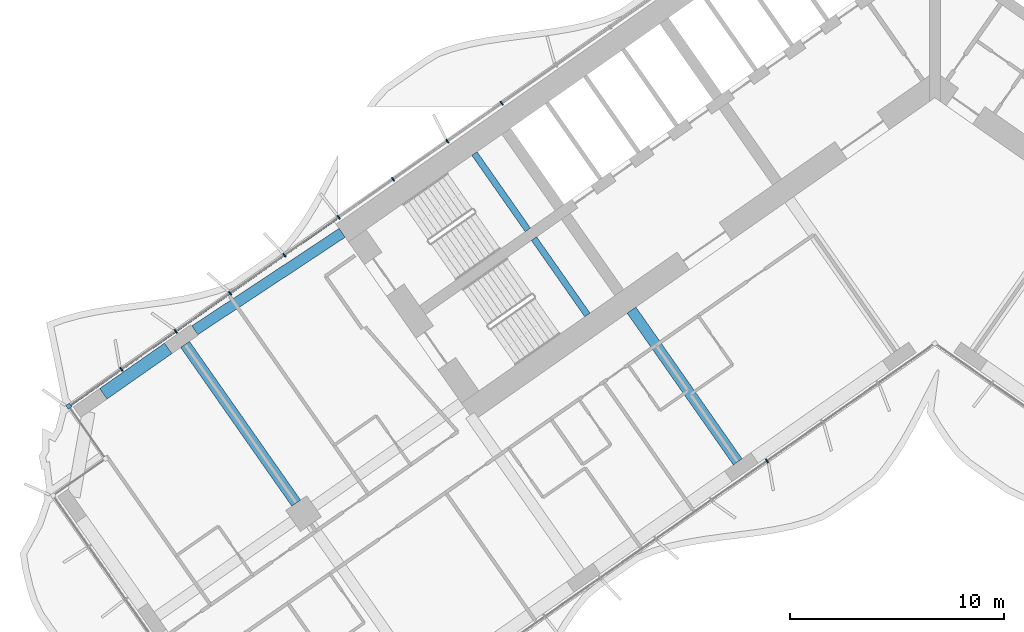
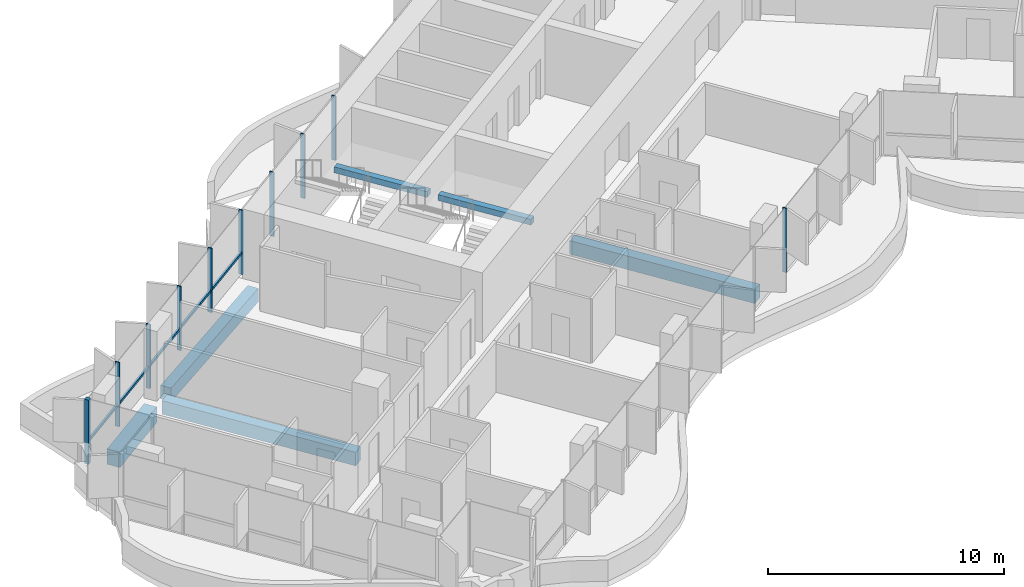
# One storey, part 4 of 23: 11 members, 6 beams, 2 elements without a shape of their own.
"""IFC4 building model written with IfcOpenShell, lengths in metres."""

from ifc_helpers import new_model, si_unit, direction, frame, origin, origin_2d, place, context, subcontext, project, spatial, rectangle, extrude, material, material_profile, profile_set, type_object, element, aggregate, save


model = new_model("IFC4")

# Units and contexts
model_context = context("Model", 3, precision=1e-05, world=origin(), true_north=direction((0.0, 1.0)))
body_context = subcontext(model_context, "Body", "Model", "MODEL_VIEW")
ifc_project = project(units=[si_unit("LENGTHUNIT", "METRE"), si_unit("AREAUNIT", "SQUARE_METRE"), si_unit("VOLUMEUNIT", "CUBIC_METRE"), si_unit("PLANEANGLEUNIT", "RADIAN"), si_unit("MASSUNIT", "GRAM", prefix="KILO")], contexts=[model_context])

# Site, building, storey
site_placement = place(None, origin())
site = spatial("IfcSite", under=ifc_project, at=site_placement, CompositionType="ELEMENT")
building_placement = place(site_placement, origin())
building = spatial("IfcBuilding", under=site, at=building_placement, Name="Tel Ilan Convention Tower", CompositionType="ELEMENT")
storey_placement = place(building_placement, frame((0.0, 0.0, 108.5)))
storey = spatial("IfcBuildingStorey", under=building, at=storey_placement, Name="L23", CompositionType="ELEMENT", Elevation=108.5)

# Beams
ifc_material_1 = material(Name="Concrete C40/50", Category="concrete")
ifc_material_profile_1 = material_profile(ifc_material_1, rectangle(XDim=0.5, YDim=0.699951171875, at=origin_2d()), Name="RC 500x700")
ifc_profile_set_1 = profile_set([ifc_material_profile_1], Name="Concrete C40/50")
beam_type_1 = type_object("IfcBeamType", Name="Beam RC 500x700 Concrete C40/50", PredefinedType="BEAM", material=ifc_profile_set_1)
beam_1_placement = place(storey_placement, frame((-34.570556640625, -12.08447265625, -0.6298828125), z_axis=(0.834273603487, 0.551350663847, 0.0), x_axis=(-0.551350663847, 0.834273603487, 0.0)))
element("IfcBeam", 1, at=beam_1_placement, inside=storey, type_object=beam_type_1, Name="L23 beam W-W-B4-core", PredefinedType="BEAM", context=body_context, shape_type="SweptSolid", body=[
    extrude(rectangle(XDim=0.5, YDim=0.699951171875, at=origin_2d()), origin(), (0.0, 0.0, 1.0), 8.2529296875),
])
beam_2_placement = place(storey_placement, frame((-9.209716796875, -18.229248046875, -0.6298828125), z_axis=(-0.573574099654, 0.819153680457, 0.0), x_axis=(-0.819153680457, -0.573574099654, 0.0)))
element("IfcBeam", 2, at=beam_2_placement, inside=storey, type_object=beam_type_1, Name="L23 beam W-W-F2-core", PredefinedType="BEAM", context=body_context, shape_type="SweptSolid", body=[
    extrude(rectangle(XDim=0.5, YDim=0.699951171875, at=origin_2d()), origin(), (0.0, 0.0, 1.0), 8.64990234375),
])
beam_3_placement = place(storey_placement, frame((-29.83349609375, -20.1572265625, -0.6298828125), z_axis=(-0.57358002233, 0.819149533348, 0.0), x_axis=(-0.819149533348, -0.57358002233, 0.0)))
element("IfcBeam", 3, at=beam_3_placement, inside=storey, type_object=beam_type_1, Name="L23 beam W-W-M4-W-B4", PredefinedType="BEAM", context=body_context, shape_type="SweptSolid", body=[
    extrude(rectangle(XDim=0.5, YDim=0.699951171875, at=origin_2d()), origin(), (0.0, 0.0, 1.0), 9.050048828125),
])
ifc_material_2 = material(Name="Concrete C40/50", Category="concrete")
ifc_material_profile_2 = material_profile(ifc_material_2, rectangle(XDim=0.60009765625, YDim=0.800048828125, at=origin_2d()), Name="RC 600x800")
ifc_profile_set_2 = profile_set([ifc_material_profile_2], Name="Concrete C40/50")
beam_type_2 = type_object("IfcBeamType", Name="Beam RC 600x800 Concrete C40/50", PredefinedType="BEAM", material=ifc_profile_set_2)
beam_4_placement = place(storey_placement, frame((-38.841796875, -15.050537109375, -0.679931640625), z_axis=(0.819185419371, 0.573528768842, 0.0), x_axis=(-0.573528768842, 0.819185419371, 0.0)))
element("IfcBeam", 4, at=beam_4_placement, inside=storey, type_object=beam_type_2, Name="L23 beam W-W-BC-W-B4", PredefinedType="BEAM", context=body_context, shape_type="SweptSolid", body=[
    extrude(rectangle(XDim=0.60009765625, YDim=0.800048828125, at=origin_2d()), origin(), (0.0, 0.0, 1.0), 3.699951171875),
])

# Curtain wall, member
ifc_material_3 = material(Name="Aluminium, bronze anodised", Category="aluminium")
curtain_wall_type_1 = type_object("IfcCurtainWallType", Name="CW1 UNITISED CURTAIN WALL, HOTEL TINTED GLASS", PredefinedType="NOTDEFINED", material=ifc_material_3)
curtain_wall_1_placement = place(storey_placement, origin())
curtain_wall_1 = element("IfcCurtainWall", 5, at=curtain_wall_1_placement, inside=storey, type_object=curtain_wall_type_1, Name="Curtain wall CW1-19.02", PredefinedType="NOTDEFINED")
ifc_material_4 = material(Name="Aluminium, bronze anodised", Category="aluminium")
ifc_material_profile_3 = material_profile(ifc_material_4, rectangle(XDim=0.199951171875, YDim=0.199951171875, at=origin_2d()), Name="CW CORNER MULLION 200x200")
ifc_profile_set_3 = profile_set([ifc_material_profile_3], Name="Aluminium, bronze anodised")
member_type_1 = type_object("IfcMemberType", Name="CW CORNER MULLION 200x200", PredefinedType="MULLION", material=ifc_profile_set_3)
member_1_placement = place(storey_placement, frame((-40.451416015625, -15.62841796875, 0.0), z_axis=(0.0, 0.0, 1.0), x_axis=(-0.819152044289, -0.573576436351, 0.0)))
member_1 = element("IfcMember", 6, at=member_1_placement, type_object=member_type_1, Name="Corner mullion", PredefinedType="MULLION", context=body_context, shape_type="SweptSolid", body=[
    extrude(rectangle(XDim=0.199951171875, YDim=0.199951171875, at=origin_2d()), origin(), (0.0, 0.0, 1.0), 3.320068359375),
])

# Curtain wall, members
ifc_material_5 = material(Name="Aluminium, bronze anodised", Category="aluminium")
curtain_wall_type_2 = type_object("IfcCurtainWallType", Name="CW2 STICK CURTAIN WALL, SPANDREL PANELS", PredefinedType="NOTDEFINED", material=ifc_material_5)
curtain_wall_2_placement = place(storey_placement, origin())
curtain_wall_2 = element("IfcCurtainWall", 7, at=curtain_wall_2_placement, inside=storey, type_object=curtain_wall_type_2, Name="Curtain wall CW2-19.01", PredefinedType="NOTDEFINED")
ifc_material_6 = material(Name="Aluminium, bronze anodised", Category="aluminium")
ifc_material_profile_4 = material_profile(ifc_material_6, rectangle(XDim=0.06005859375, YDim=0.199951171875, at=origin_2d()), Name="CW MULLION 60x200")
ifc_profile_set_4 = profile_set([ifc_material_profile_4], Name="Aluminium, bronze anodised")
member_type_2 = type_object("IfcMemberType", Name="CW MULLION 60x200", PredefinedType="MULLION", material=ifc_profile_set_4)
member_2_placement = place(storey_placement, frame((-20.238037109375, -1.474853515625, 0.0), z_axis=(0.0, 0.0, 1.0), x_axis=(-0.819152044289, -0.573576436351, 0.0)))
member_2 = element("IfcMember", 8, at=member_2_placement, type_object=member_type_2, Name="Mullion", PredefinedType="MULLION", context=body_context, shape_type="SweptSolid", body=[
    extrude(rectangle(XDim=0.06005859375, YDim=0.199951171875, at=origin_2d()), origin(), (0.0, 0.0, 1.0), 3.320068359375),
])
member_3_placement = place(storey_placement, frame((-22.77490234375, -3.251220703125, 0.0), z_axis=(0.0, 0.0, 1.0), x_axis=(-0.819152044289, -0.573576436351, 0.0)))
member_3 = element("IfcMember", 9, at=member_3_placement, type_object=member_type_2, Name="Mullion", PredefinedType="MULLION", context=body_context, shape_type="SweptSolid", body=[
    extrude(rectangle(XDim=0.06005859375, YDim=0.199951171875, at=origin_2d()), origin(), (0.0, 0.0, 1.0), 3.320068359375),
])
member_4_placement = place(storey_placement, frame((-25.311767578125, -5.027587890625, 0.0), z_axis=(0.0, 0.0, 1.0), x_axis=(-0.819152044289, -0.573576436351, 0.0)))
member_4 = element("IfcMember", 10, at=member_4_placement, type_object=member_type_2, Name="Mullion", PredefinedType="MULLION", context=body_context, shape_type="SweptSolid", body=[
    extrude(rectangle(XDim=0.06005859375, YDim=0.199951171875, at=origin_2d()), origin(), (0.0, 0.0, 1.0), 3.320068359375),
])
member_5_placement = place(storey_placement, frame((-27.848876953125, -6.803955078125, 0.0), z_axis=(0.0, 0.0, 1.0), x_axis=(-0.819152044289, -0.573576436351, 0.0)))
member_5 = element("IfcMember", 11, at=member_5_placement, type_object=member_type_2, Name="Mullion", PredefinedType="MULLION", context=body_context, shape_type="SweptSolid", body=[
    extrude(rectangle(XDim=0.06005859375, YDim=0.199951171875, at=origin_2d()), origin(), (0.0, 0.0, 1.0), 3.320068359375),
])
aggregate(curtain_wall_2, [member_2, member_3, member_4, member_5])

# Member
member_6_placement = place(storey_placement, frame((-30.3857421875, -8.580322265625, 0.0), z_axis=(0.0, 0.0, 1.0), x_axis=(-0.819152044289, -0.573576436351, 0.0)))
member_6 = element("IfcMember", 12, at=member_6_placement, type_object=member_type_2, Name="Mullion", PredefinedType="MULLION", context=body_context, shape_type="SweptSolid", body=[
    extrude(rectangle(XDim=0.06005859375, YDim=0.199951171875, at=origin_2d()), origin(), (0.0, 0.0, 1.0), 3.320068359375),
])

member_7_placement = place(storey_placement, frame((-32.922607421875, -10.356689453125, 0.0), z_axis=(0.0, 0.0, 1.0), x_axis=(-0.819152044289, -0.573576436351, 0.0)))
member_7 = element("IfcMember", 13, at=member_7_placement, type_object=member_type_2, Name="Mullion", PredefinedType="MULLION", context=body_context, shape_type="SweptSolid", body=[
    extrude(rectangle(XDim=0.06005859375, YDim=0.199951171875, at=origin_2d()), origin(), (0.0, 0.0, 1.0), 3.320068359375),
])

member_8_placement = place(storey_placement, frame((-35.45947265625, -12.133056640625, 0.0), z_axis=(0.0, 0.0, 1.0), x_axis=(-0.819152044289, -0.573576436351, 0.0)))
member_8 = element("IfcMember", 14, at=member_8_placement, type_object=member_type_2, Name="Mullion", PredefinedType="MULLION", context=body_context, shape_type="SweptSolid", body=[
    extrude(rectangle(XDim=0.06005859375, YDim=0.199951171875, at=origin_2d()), origin(), (0.0, 0.0, 1.0), 3.320068359375),
])

member_9_placement = place(storey_placement, frame((-37.99658203125, -13.909423828125, 0.0), z_axis=(0.0, 0.0, 1.0), x_axis=(-0.819152044289, -0.573576436351, 0.0)))
member_9 = element("IfcMember", 15, at=member_9_placement, type_object=member_type_2, Name="Mullion", PredefinedType="MULLION", context=body_context, shape_type="SweptSolid", body=[
    extrude(rectangle(XDim=0.06005859375, YDim=0.199951171875, at=origin_2d()), origin(), (0.0, 0.0, 1.0), 3.320068359375),
])

member_10_placement = place(storey_placement, frame((-7.842529296875, -18.1875, 0.0), z_axis=(0.0, 0.0, 1.0), x_axis=(0.819152044289, 0.573576436351, 0.0)))
member_10 = element("IfcMember", 16, at=member_10_placement, type_object=member_type_2, Name="Mullion", PredefinedType="MULLION", context=body_context, shape_type="SweptSolid", body=[
    extrude(rectangle(XDim=0.06005859375, YDim=0.199951171875, at=origin_2d()), origin(), (0.0, 0.0, 1.0), 3.320068359375),
])

ifc_material_7 = material(Name="Aluminium, bronze anodised", Category="aluminium")
ifc_material_profile_5 = material_profile(ifc_material_7, rectangle(XDim=0.10009765625, YDim=0.1201171875, at=origin_2d()), Name="CW TRANSOM 100x120")
ifc_profile_set_5 = profile_set([ifc_material_profile_5], Name="Aluminium, bronze anodised")
member_type_3 = type_object("IfcMemberType", Name="CW TRANSOM 100x120", PredefinedType="USERDEFINED", material=ifc_profile_set_5)
member_11_placement = place(storey_placement, frame((-27.873291015625, -6.821044921875, 1.10009765625), z_axis=(-0.819152967985, -0.573575117174, 0.0), x_axis=(0.573575117174, -0.819152967985, 0.0)))
member_11 = element("IfcMember", 17, at=member_11_placement, type_object=member_type_3, Name="Transom", ObjectType="TRANSOM", PredefinedType="USERDEFINED", context=body_context, shape_type="SweptSolid", body=[
    extrude(rectangle(XDim=0.10009765625, YDim=0.1201171875, at=origin_2d()), origin(), (0.0, 0.0, 1.0), 15.255126953125),
])

aggregate(curtain_wall_1, [member_6, member_7, member_8, member_9, member_1, member_11, member_10])

# Beams
ifc_material_8 = material(Name="Concrete C40/50", Category="concrete")
ifc_material_profile_6 = material_profile(ifc_material_8, rectangle(XDim=0.300048828125, YDim=0.300048828125, at=origin_2d()), Name="RC 300x300")
ifc_profile_set_6 = profile_set([ifc_material_profile_6], Name="Concrete C40/50")
beam_type_3 = type_object("IfcBeamType", Name="Landing Beam RC 300x300 Concrete C40/50", PredefinedType="BEAM", material=ifc_profile_set_6)
beam_5_placement = place(storey_placement, frame((-19.013671875, -7.392822265625, 1.449951171875), z_axis=(-0.57356780395, 0.819158088694, 0.0), x_axis=(-0.819158088694, -0.57356780395, 0.0)))
element("IfcBeam", 18, at=beam_5_placement, inside=storey, type_object=beam_type_3, Name="S1 landing beam L23.1", PredefinedType="BEAM", context=body_context, shape_type="SweptSolid", body=[
    extrude(rectangle(XDim=0.300048828125, YDim=0.300048828125, at=origin_2d()), origin(), (0.0, 0.0, 1.0), 4.35009765625),
])
beam_6_placement = place(storey_placement, frame((-16.231689453125, -11.365478515625, 1.449951171875), z_axis=(-0.573594173421, 0.819139624372, 0.0), x_axis=(-0.819139624372, -0.573594173421, 0.0)))
element("IfcBeam", 19, at=beam_6_placement, inside=storey, type_object=beam_type_3, Name="S2 landing beam L23.1", PredefinedType="BEAM", context=body_context, shape_type="SweptSolid", body=[
    extrude(rectangle(XDim=0.300048828125, YDim=0.300048828125, at=origin_2d()), origin(), (0.0, 0.0, 1.0), 4.349853515625),
])

save(model, "model.ifc")
